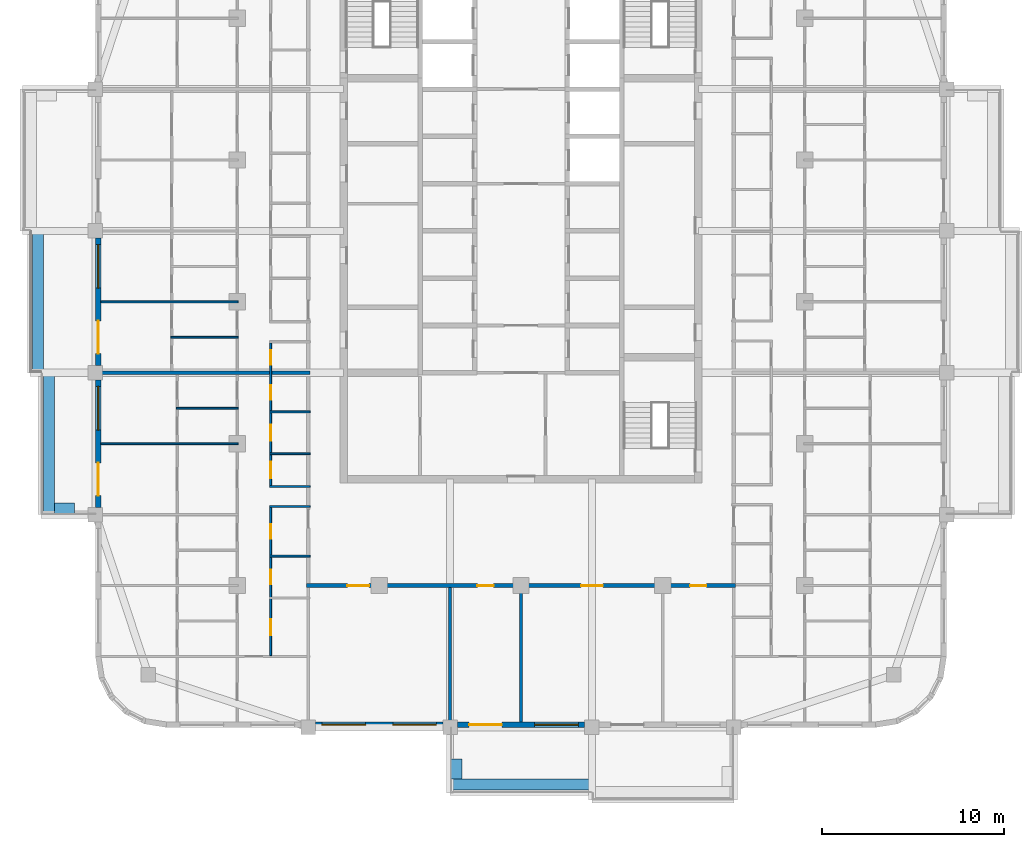
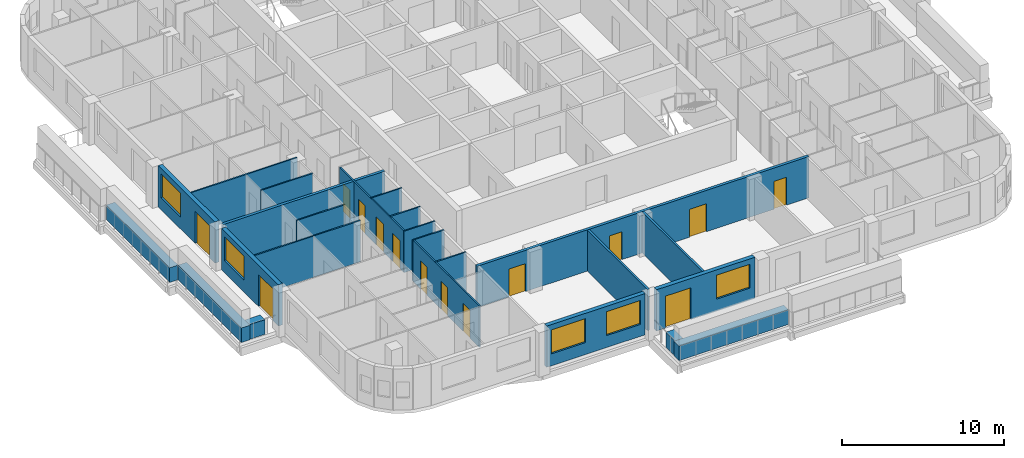
# One storey, part 3 of 16: 24 walls, 14 doors, 5 windows, 19 openings.
"""IFC4 building model written with IfcOpenShell, lengths in metres."""

from ifc_helpers import new_model, si_unit, direction, frame, frame_2d, origin, place, context, subcontext, project, spatial, rectangle, extrude, material, layer, layer_set, type_object, element, fill, save


model = new_model("IFC4")

# Units and contexts
model_context = context("Model", 3, precision=1e-05, world=origin(), true_north=direction((0.0, 1.0)))
body_context = subcontext(model_context, "Body", "Model", "MODEL_VIEW")
ifc_project = project(units=[si_unit("LENGTHUNIT", "METRE"), si_unit("AREAUNIT", "SQUARE_METRE"), si_unit("VOLUMEUNIT", "CUBIC_METRE"), si_unit("PLANEANGLEUNIT", "RADIAN"), si_unit("MASSUNIT", "GRAM", prefix="KILO")], contexts=[model_context])

# Site, building, storey
site_placement = place(None, origin())
site = spatial("IfcSite", under=ifc_project, at=site_placement, CompositionType="ELEMENT")
building_placement = place(site_placement, origin())
building = spatial("IfcBuilding", under=site, at=building_placement, Name="Ludao Terraces", CompositionType="ELEMENT")
storey_placement = place(building_placement, frame((0.0, 0.0, 238.10009765625)))
storey = spatial("IfcBuildingStorey", under=building, at=storey_placement, Name="L65", CompositionType="ELEMENT", Elevation=238.10009765625)

# Walls
ifc_material_1 = material(Name="Concrete C40", Category="concrete")
ifc_layer_1 = layer(ifc_material_1, 0.60009765625)
ifc_layer_set_1 = layer_set([ifc_layer_1], Name="ENV Planter trough 600")
wall_type_1 = type_object("IfcWallType", Name="ENV Planter trough 600", PredefinedType="USERDEFINED", material=ifc_layer_set_1)
wall_1_placement = place(storey_placement, frame((81.10009765625, 38.449951171875, 0.0), z_axis=(0.0, 0.0, 1.0), x_axis=(1.0, 0.0, 0.0)))
element("IfcWall", 1, at=wall_1_placement, inside=storey, type_object=wall_type_1, Name="PL-L65-S2", ObjectType="PLANTER", PredefinedType="USERDEFINED", context=body_context, shape_type="SweptSolid", body=[
    extrude(rectangle(XDim=7.7998046875, YDim=0.60009765625, at=frame_2d((3.89990234375, 0.0))), origin(), (0.0, 0.0, 1.0), 1.099853515625),
])
wall_2_placement = place(storey_placement, frame((81.449951171875, 38.75, 0.0), z_axis=(0.0, 0.0, 1.0), x_axis=(0.0, 1.0, 0.0)))
element("IfcWall", 2, at=wall_2_placement, inside=storey, type_object=wall_type_1, Name="PL-L65-S2-SA", ObjectType="PLANTER", PredefinedType="USERDEFINED", context=body_context, shape_type="SweptSolid", body=[
    extrude(rectangle(XDim=1.10009765625, YDim=0.60009765625, at=frame_2d((0.550048828125, 0.0))), origin(), (0.0, 0.0, 1.0), 1.099853515625),
])
wall_3_placement = place(storey_placement, frame((59.050048828125, 53.300048828125, 0.0), z_axis=(0.0, 0.0, 1.0), x_axis=(0.0, 1.0, 0.0)))
element("IfcWall", 3, at=wall_3_placement, inside=storey, type_object=wall_type_1, Name="PL-L65-W1", ObjectType="PLANTER", PredefinedType="USERDEFINED", context=body_context, shape_type="SweptSolid", body=[
    extrude(rectangle(XDim=7.800048828125, YDim=0.60009765625, at=frame_2d((3.89990234375, 0.0))), origin(), (0.0, 0.0, 1.0), 1.099853515625),
])
wall_4_placement = place(storey_placement, frame((59.35009765625, 53.64990234375, 0.0), z_axis=(0.0, 0.0, 1.0), x_axis=(1.0, 0.0, 0.0)))
element("IfcWall", 4, at=wall_4_placement, inside=storey, type_object=wall_type_1, Name="PL-L65-W1-SA", ObjectType="PLANTER", PredefinedType="USERDEFINED", context=body_context, shape_type="SweptSolid", body=[
    extrude(rectangle(XDim=1.099853515625, YDim=0.60009765625, at=frame_2d((0.5498046875, 0.0))), origin(), (0.0, 0.0, 1.0), 1.099853515625),
])
wall_5_placement = place(storey_placement, frame((58.449951171875, 61.10009765625, 0.0), z_axis=(0.0, 0.0, 1.0), x_axis=(0.0, 1.0, 0.0)))
element("IfcWall", 5, at=wall_5_placement, inside=storey, type_object=wall_type_1, Name="PL-L65-W2", ObjectType="PLANTER", PredefinedType="USERDEFINED", context=body_context, shape_type="SweptSolid", body=[
    extrude(rectangle(XDim=7.7998046875, YDim=0.60009765625, at=frame_2d((3.89990234375, 0.0))), origin(), (0.0, 0.0, 1.0), 1.099853515625),
])

# Wall, openings, windows
ifc_material_2 = material(Name="Granite cladding", Category="masonry")
ifc_layer_2 = layer(ifc_material_2, 0.0400390625, Category="stone")
ifc_material_3 = material(Name="Mineral wool")
ifc_layer_3 = layer(ifc_material_3, 0.06005859375)
ifc_layer_4 = layer(ifc_material_1, 0.199951171875, Category="concrete")
ifc_layer_set_2 = layer_set([ifc_layer_2, ifc_layer_3, ifc_layer_4], Name="ENV Stone-clad wall 300")
wall_type_2 = type_object("IfcWallType", Name="ENV Stone-clad wall 300", PredefinedType="SOLIDWALL", material=ifc_layer_set_2)
wall_6_placement = place(storey_placement, frame((73.699951171875, 41.75, 0.0), z_axis=(0.0, 0.0, 1.0), x_axis=(1.0, 0.0, 0.0)))
wall_6 = element("IfcWall", 6, at=wall_6_placement, inside=storey, type_object=wall_type_2, Name="EW-L65-S2", PredefinedType="SOLIDWALL", context=body_context, shape_type="SweptSolid", body=[
    extrude(rectangle(XDim=7.0, YDim=0.300048828125, at=frame_2d((3.5, 0.0))), origin(), (0.0, 0.0, 1.0), 3.099853515625),
])
opening_1_placement = place(wall_6_placement, frame((0.35009765625, 0.0, 0.89990234375)))
opening_1 = element("IfcOpeningElement", 7, at=opening_1_placement, cuts=wall_6, Name="Opening W1", PredefinedType="OPENING", context=body_context, shape_type="SweptSolid", body=[
    extrude(rectangle(XDim=2.39990234375, YDim=1.800048828125, at=frame_2d((1.199951171875, 0.89990234375))), frame((0.0, 0.16015625, 0.0), z_axis=(0.0, -1.0, 0.0), x_axis=(1.0, 0.0, 0.0)), (0.0, 0.0, 1.0), 0.320068359375),
])
opening_2_placement = place(wall_6_placement, frame((4.25, 0.0, 0.89990234375)))
opening_2 = element("IfcOpeningElement", 8, at=opening_2_placement, cuts=wall_6, Name="Opening W1", PredefinedType="OPENING", context=body_context, shape_type="SweptSolid", body=[
    extrude(rectangle(XDim=2.39990234375, YDim=1.800048828125, at=frame_2d((1.199951171875, 0.89990234375))), frame((0.0, 0.16015625, 0.0), z_axis=(0.0, -1.0, 0.0), x_axis=(1.0, 0.0, 0.0)), (0.0, 0.0, 1.0), 0.320068359375),
])
ifc_material_4 = material(Name="Clear glass in aluminium frame", Category="aluminium")
ifc_layer_5 = layer(ifc_material_4, 0.06005859375)
ifc_layer_set_3 = layer_set([ifc_layer_5], Name="ENV Window W1 2400x1800")
window_type = type_object("IfcWindowType", Name="ENV Window W1 2400x1800", PartitioningType="DOUBLE_PANEL_VERTICAL", PredefinedType="WINDOW", material=ifc_layer_set_3)
window_1_placement = place(opening_1_placement, origin())
window_1 = element("IfcWindow", 9, at=window_1_placement, inside=storey, type_object=window_type, Name="W-L65-S2-1", OverallHeight=1.800048828125, OverallWidth=2.39990234375, PartitioningType="DOUBLE_PANEL_VERTICAL", PredefinedType="WINDOW", context=body_context, shape_type="SweptSolid", body=[
    extrude(rectangle(XDim=2.39990234375, YDim=1.800048828125, at=frame_2d((1.199951171875, 0.89990234375))), frame((0.0, 0.030029296875, 0.0), z_axis=(0.0, -1.0, 0.0), x_axis=(1.0, 0.0, 0.0)), (0.0, 0.0, 1.0), 0.06005859375),
])
fill(opening_1, window_1)
window_2_placement = place(opening_2_placement, origin())
window_2 = element("IfcWindow", 10, at=window_2_placement, inside=storey, type_object=window_type, Name="W-L65-S2-2", OverallHeight=1.800048828125, OverallWidth=2.39990234375, PartitioningType="DOUBLE_PANEL_VERTICAL", PredefinedType="WINDOW", context=body_context, shape_type="SweptSolid", body=[
    extrude(rectangle(XDim=2.39990234375, YDim=1.800048828125, at=frame_2d((1.199951171875, 0.89990234375))), frame((0.0, 0.030029296875, 0.0), z_axis=(0.0, -1.0, 0.0), x_axis=(1.0, 0.0, 0.0)), (0.0, 0.0, 1.0), 0.06005859375),
])
fill(opening_2, window_2)

# Wall, openings, door, window
wall_7_placement = place(storey_placement, frame((81.5, 41.75, 0.0), z_axis=(0.0, 0.0, 1.0), x_axis=(1.0, 0.0, 0.0)))
wall_7 = element("IfcWall", 11, at=wall_7_placement, inside=storey, type_object=wall_type_2, Name="EW-L65-S3", PredefinedType="SOLIDWALL", context=body_context, shape_type="SweptSolid", body=[
    extrude(rectangle(XDim=7.0, YDim=0.300048828125, at=frame_2d((3.5, 0.0))), origin(), (0.0, 0.0, 1.0), 3.099853515625),
])
opening_3_placement = place(wall_7_placement, frame((0.64990234375, 0.0, 0.0)))
opening_3 = element("IfcOpeningElement", 12, at=opening_3_placement, cuts=wall_7, Name="Opening BD", PredefinedType="OPENING", context=body_context, shape_type="SweptSolid", body=[
    extrude(rectangle(XDim=1.800048828125, YDim=2.39990234375, at=frame_2d((0.89990234375, 1.199951171875))), frame((0.0, 0.16015625, 0.0), z_axis=(0.0, -1.0, 0.0), x_axis=(1.0, 0.0, 0.0)), (0.0, 0.0, 1.0), 0.320068359375),
])
opening_4_placement = place(wall_7_placement, frame((4.25, 0.0, 0.89990234375)))
opening_4 = element("IfcOpeningElement", 13, at=opening_4_placement, cuts=wall_7, Name="Opening W1", PredefinedType="OPENING", context=body_context, shape_type="SweptSolid", body=[
    extrude(rectangle(XDim=2.39990234375, YDim=1.800048828125, at=frame_2d((1.199951171875, 0.89990234375))), frame((0.0, 0.16015625, 0.0), z_axis=(0.0, -1.0, 0.0), x_axis=(1.0, 0.0, 0.0)), (0.0, 0.0, 1.0), 0.320068359375),
])
ifc_material_5 = material(Name="Aluminium glazed door", Category="aluminium")
ifc_layer_6 = layer(ifc_material_5, 0.06005859375)
ifc_layer_set_4 = layer_set([ifc_layer_6], Name="ENV Balcony door BD 1800x2400")
door_type_1 = type_object("IfcDoorType", Name="ENV Balcony door BD 1800x2400", OperationType="DOUBLE_DOOR_SINGLE_SWING", PredefinedType="DOOR", material=ifc_layer_set_4)
door_1_placement = place(opening_3_placement, origin())
door_1 = element("IfcDoor", 14, at=door_1_placement, inside=storey, type_object=door_type_1, Name="BD-L65-S3-1", OperationType="DOUBLE_DOOR_SINGLE_SWING", OverallHeight=2.39990234375, OverallWidth=1.800048828125, PredefinedType="DOOR", context=body_context, shape_type="SweptSolid", body=[
    extrude(rectangle(XDim=1.800048828125, YDim=2.39990234375, at=frame_2d((0.89990234375, 1.199951171875))), frame((0.0, 0.02490234375, 0.0), z_axis=(0.0, -1.0, 0.0), x_axis=(1.0, 0.0, 0.0)), (0.0, 0.0, 1.0), 0.050048828125),
])
fill(opening_3, door_1)
window_3_placement = place(opening_4_placement, origin())
window_3 = element("IfcWindow", 15, at=window_3_placement, inside=storey, type_object=window_type, Name="W-L65-S3-2", OverallHeight=1.800048828125, OverallWidth=2.39990234375, PartitioningType="DOUBLE_PANEL_VERTICAL", PredefinedType="WINDOW", context=body_context, shape_type="SweptSolid", body=[
    extrude(rectangle(XDim=2.39990234375, YDim=1.800048828125, at=frame_2d((1.199951171875, 0.89990234375))), frame((0.0, 0.030029296875, 0.0), z_axis=(0.0, -1.0, 0.0), x_axis=(1.0, 0.0, 0.0)), (0.0, 0.0, 1.0), 0.06005859375),
])
fill(opening_4, window_3)

wall_8_placement = place(storey_placement, frame((61.75, 53.699951171875, 0.0), z_axis=(0.0, 0.0, 1.0), x_axis=(0.0, 1.0, 0.0)))
wall_8 = element("IfcWall", 16, at=wall_8_placement, inside=storey, type_object=wall_type_2, Name="EW-L65-W2", PredefinedType="SOLIDWALL", context=body_context, shape_type="SweptSolid", body=[
    extrude(rectangle(XDim=7.0, YDim=0.300048828125, at=frame_2d((3.5, 0.0))), origin(), (0.0, 0.0, 1.0), 3.099853515625),
])
opening_5_placement = place(wall_8_placement, frame((0.64990234375, 0.0, 0.0)))
opening_5 = element("IfcOpeningElement", 17, at=opening_5_placement, cuts=wall_8, Name="Opening BD", PredefinedType="OPENING", context=body_context, shape_type="SweptSolid", body=[
    extrude(rectangle(XDim=1.800048828125, YDim=2.39990234375, at=frame_2d((0.89990234375, 1.199951171875))), frame((0.0, 0.16015625, 0.0), z_axis=(0.0, -1.0, 0.0), x_axis=(1.0, 0.0, 0.0)), (0.0, 0.0, 1.0), 0.320068359375),
])
opening_6_placement = place(wall_8_placement, frame((4.25, 0.0, 0.89990234375)))
opening_6 = element("IfcOpeningElement", 18, at=opening_6_placement, cuts=wall_8, Name="Opening W1", PredefinedType="OPENING", context=body_context, shape_type="SweptSolid", body=[
    extrude(rectangle(XDim=2.39990234375, YDim=1.800048828125, at=frame_2d((1.199951171875, 0.89990234375))), frame((0.0, 0.16015625, 0.0), z_axis=(0.0, -1.0, 0.0), x_axis=(1.0, 0.0, 0.0)), (0.0, 0.0, 1.0), 0.320068359375),
])
door_2_placement = place(opening_5_placement, origin())
door_2 = element("IfcDoor", 19, at=door_2_placement, inside=storey, type_object=door_type_1, Name="BD-L65-W2-1", OperationType="DOUBLE_DOOR_SINGLE_SWING", OverallHeight=2.39990234375, OverallWidth=1.800048828125, PredefinedType="DOOR", context=body_context, shape_type="SweptSolid", body=[
    extrude(rectangle(XDim=1.800048828125, YDim=2.39990234375, at=frame_2d((0.89990234375, 1.199951171875))), frame((0.0, 0.02490234375, 0.0), z_axis=(0.0, -1.0, 0.0), x_axis=(1.0, 0.0, 0.0)), (0.0, 0.0, 1.0), 0.050048828125),
])
fill(opening_5, door_2)
window_4_placement = place(opening_6_placement, origin())
window_4 = element("IfcWindow", 20, at=window_4_placement, inside=storey, type_object=window_type, Name="W-L65-W2-2", OverallHeight=1.800048828125, OverallWidth=2.39990234375, PartitioningType="DOUBLE_PANEL_VERTICAL", PredefinedType="WINDOW", context=body_context, shape_type="SweptSolid", body=[
    extrude(rectangle(XDim=2.39990234375, YDim=1.800048828125, at=frame_2d((1.199951171875, 0.89990234375))), frame((0.0, 0.030029296875, 0.0), z_axis=(0.0, -1.0, 0.0), x_axis=(1.0, 0.0, 0.0)), (0.0, 0.0, 1.0), 0.06005859375),
])
fill(opening_6, window_4)

wall_9_placement = place(storey_placement, frame((61.75, 61.5, 0.0), z_axis=(0.0, 0.0, 1.0), x_axis=(0.0, 1.0, 0.0)))
wall_9 = element("IfcWall", 21, at=wall_9_placement, inside=storey, type_object=wall_type_2, Name="EW-L65-W3", PredefinedType="SOLIDWALL", context=body_context, shape_type="SweptSolid", body=[
    extrude(rectangle(XDim=7.0, YDim=0.300048828125, at=frame_2d((3.5, 0.0))), origin(), (0.0, 0.0, 1.0), 3.099853515625),
])
opening_7_placement = place(wall_9_placement, frame((0.64990234375, 0.0, 0.0)))
opening_7 = element("IfcOpeningElement", 22, at=opening_7_placement, cuts=wall_9, Name="Opening BD", PredefinedType="OPENING", context=body_context, shape_type="SweptSolid", body=[
    extrude(rectangle(XDim=1.800048828125, YDim=2.39990234375, at=frame_2d((0.89990234375, 1.199951171875))), frame((0.0, 0.16015625, 0.0), z_axis=(0.0, -1.0, 0.0), x_axis=(1.0, 0.0, 0.0)), (0.0, 0.0, 1.0), 0.320068359375),
])
opening_8_placement = place(wall_9_placement, frame((4.25, 0.0, 0.89990234375)))
opening_8 = element("IfcOpeningElement", 23, at=opening_8_placement, cuts=wall_9, Name="Opening W1", PredefinedType="OPENING", context=body_context, shape_type="SweptSolid", body=[
    extrude(rectangle(XDim=2.39990234375, YDim=1.800048828125, at=frame_2d((1.199951171875, 0.89990234375))), frame((0.0, 0.16015625, 0.0), z_axis=(0.0, -1.0, 0.0), x_axis=(1.0, 0.0, 0.0)), (0.0, 0.0, 1.0), 0.320068359375),
])
door_3_placement = place(opening_7_placement, origin())
door_3 = element("IfcDoor", 24, at=door_3_placement, inside=storey, type_object=door_type_1, Name="BD-L65-W3-1", OperationType="DOUBLE_DOOR_SINGLE_SWING", OverallHeight=2.39990234375, OverallWidth=1.800048828125, PredefinedType="DOOR", context=body_context, shape_type="SweptSolid", body=[
    extrude(rectangle(XDim=1.800048828125, YDim=2.39990234375, at=frame_2d((0.89990234375, 1.199951171875))), frame((0.0, 0.02490234375, 0.0), z_axis=(0.0, -1.0, 0.0), x_axis=(1.0, 0.0, 0.0)), (0.0, 0.0, 1.0), 0.050048828125),
])
fill(opening_7, door_3)
window_5_placement = place(opening_8_placement, origin())
window_5 = element("IfcWindow", 25, at=window_5_placement, inside=storey, type_object=window_type, Name="W-L65-W3-2", OverallHeight=1.800048828125, OverallWidth=2.39990234375, PartitioningType="DOUBLE_PANEL_VERTICAL", PredefinedType="WINDOW", context=body_context, shape_type="SweptSolid", body=[
    extrude(rectangle(XDim=2.39990234375, YDim=1.800048828125, at=frame_2d((1.199951171875, 0.89990234375))), frame((0.0, 0.030029296875, 0.0), z_axis=(0.0, -1.0, 0.0), x_axis=(1.0, 0.0, 0.0)), (0.0, 0.0, 1.0), 0.06005859375),
])
fill(opening_8, window_5)

# Wall, openings, doors
ifc_material_6 = material(Name="Autoclaved aerated concrete block B06 A3.5", Category="concrete")
ifc_layer_7 = layer(ifc_material_6, 0.199951171875)
ifc_layer_set_5 = layer_set([ifc_layer_7], Name="INT Entrance wall 200")
wall_type_3 = type_object("IfcWallType", Name="INT Entrance wall 200", PredefinedType="PARTITIONING", material=ifc_layer_set_5)
wall_10_placement = place(storey_placement, frame((73.2001953125, 49.39990234375, 0.0), z_axis=(0.0, 0.0, 1.0), x_axis=(1.0, 0.0, 0.0)))
wall_10 = element("IfcWall", 26, at=wall_10_placement, inside=storey, type_object=wall_type_3, Name="PW-L65-PW007", PredefinedType="PARTITIONING", context=body_context, shape_type="SweptSolid", body=[
    extrude(rectangle(XDim=23.599853515625, YDim=0.199951171875, at=frame_2d((11.7998046875, 0.0))), origin(), (0.0, 0.0, 1.0), 3.099853515625),
])
opening_9_placement = place(wall_10_placement, frame((2.25, 0.0, 0.0)))
opening_9 = element("IfcOpeningElement", 27, at=opening_9_placement, cuts=wall_10, Name="Opening R23-016", PredefinedType="OPENING", context=body_context, shape_type="SweptSolid", body=[
    extrude(rectangle(XDim=1.199951171875, YDim=2.10009765625, at=frame_2d((0.60009765625, 1.050048828125))), frame((0.0, 0.10986328125, 0.0), z_axis=(0.0, -1.0, 0.0), x_axis=(1.0, 0.0, 0.0)), (0.0, 0.0, 1.0), 0.219970703125),
])
opening_10_placement = place(wall_10_placement, frame((9.39990234375, 0.0, 0.0)))
opening_10 = element("IfcOpeningElement", 28, at=opening_10_placement, cuts=wall_10, Name="Opening R23-017", PredefinedType="OPENING", context=body_context, shape_type="SweptSolid", body=[
    extrude(rectangle(XDim=0.89990234375, YDim=2.10009765625, at=frame_2d((0.449951171875, 1.050048828125))), frame((0.0, 0.10986328125, 0.0), z_axis=(0.0, -1.0, 0.0), x_axis=(1.0, 0.0, 0.0)), (0.0, 0.0, 1.0), 0.219970703125),
])
opening_11_placement = place(wall_10_placement, frame((15.099853515625, 0.0, 0.0)))
opening_11 = element("IfcOpeningElement", 29, at=opening_11_placement, cuts=wall_10, Name="Opening R23-018", PredefinedType="OPENING", context=body_context, shape_type="SweptSolid", body=[
    extrude(rectangle(XDim=1.199951171875, YDim=2.10009765625, at=frame_2d((0.60009765625, 1.050048828125))), frame((0.0, 0.10986328125, 0.0), z_axis=(0.0, -1.0, 0.0), x_axis=(1.0, 0.0, 0.0)), (0.0, 0.0, 1.0), 0.219970703125),
])
opening_12_placement = place(wall_10_placement, frame((21.099853515625, 0.0, 0.0)))
opening_12 = element("IfcOpeningElement", 30, at=opening_12_placement, cuts=wall_10, Name="Opening R23-019", PredefinedType="OPENING", context=body_context, shape_type="SweptSolid", body=[
    extrude(rectangle(XDim=0.89990234375, YDim=2.10009765625, at=frame_2d((0.449951171875, 1.050048828125))), frame((0.0, 0.10986328125, 0.0), z_axis=(0.0, -1.0, 0.0), x_axis=(1.0, 0.0, 0.0)), (0.0, 0.0, 1.0), 0.219970703125),
])
ifc_material_7 = material(Name="Timber door leaf", Category="wood")
door_type_2 = type_object("IfcDoorType", Name="INT Double door 1200", OperationType="DOUBLE_DOOR_SINGLE_SWING", PredefinedType="DOOR", material=ifc_material_7)
door_4_placement = place(opening_9_placement, origin())
door_4 = element("IfcDoor", 31, at=door_4_placement, inside=storey, type_object=door_type_2, Name="DOOR 016", OperationType="DOUBLE_DOOR_SINGLE_SWING", OverallHeight=2.10009765625, OverallWidth=1.199951171875, PredefinedType="DOOR", context=body_context, shape_type="SweptSolid", body=[
    extrude(rectangle(XDim=1.199951171875, YDim=2.10009765625, at=frame_2d((0.60009765625, 1.050048828125))), frame((0.0, 0.02490234375, 0.0), z_axis=(0.0, -1.0, 0.0), x_axis=(1.0, 0.0, 0.0)), (0.0, 0.0, 1.0), 0.050048828125),
])
fill(opening_9, door_4)
door_5_placement = place(opening_11_placement, origin())
door_5 = element("IfcDoor", 32, at=door_5_placement, inside=storey, type_object=door_type_2, Name="DOOR 018", OperationType="DOUBLE_DOOR_SINGLE_SWING", OverallHeight=2.10009765625, OverallWidth=1.199951171875, PredefinedType="DOOR", context=body_context, shape_type="SweptSolid", body=[
    extrude(rectangle(XDim=1.199951171875, YDim=2.10009765625, at=frame_2d((0.60009765625, 1.050048828125))), frame((0.0, 0.02490234375, 0.0), z_axis=(0.0, -1.0, 0.0), x_axis=(1.0, 0.0, 0.0)), (0.0, 0.0, 1.0), 0.050048828125),
])
fill(opening_11, door_5)
door_type_3 = type_object("IfcDoorType", Name="INT Room door 900", OperationType="SINGLE_SWING_LEFT", PredefinedType="DOOR", material=ifc_material_7)
door_6_placement = place(opening_10_placement, origin())
door_6 = element("IfcDoor", 33, at=door_6_placement, inside=storey, type_object=door_type_3, Name="DOOR 017", OperationType="SINGLE_SWING_LEFT", OverallHeight=2.10009765625, OverallWidth=0.89990234375, PredefinedType="DOOR", context=body_context, shape_type="SweptSolid", body=[
    extrude(rectangle(XDim=0.89990234375, YDim=2.10009765625, at=frame_2d((0.449951171875, 1.050048828125))), frame((0.0, 0.02490234375, 0.0), z_axis=(0.0, -1.0, 0.0), x_axis=(1.0, 0.0, 0.0)), (0.0, 0.0, 1.0), 0.050048828125),
])
fill(opening_10, door_6)
door_7_placement = place(opening_12_placement, origin())
door_7 = element("IfcDoor", 34, at=door_7_placement, inside=storey, type_object=door_type_3, Name="DOOR 019", OperationType="SINGLE_SWING_LEFT", OverallHeight=2.10009765625, OverallWidth=0.89990234375, PredefinedType="DOOR", context=body_context, shape_type="SweptSolid", body=[
    extrude(rectangle(XDim=0.89990234375, YDim=2.10009765625, at=frame_2d((0.449951171875, 1.050048828125))), frame((0.0, 0.02490234375, 0.0), z_axis=(0.0, -1.0, 0.0), x_axis=(1.0, 0.0, 0.0)), (0.0, 0.0, 1.0), 0.050048828125),
])
fill(opening_12, door_7)

# Walls
ifc_material_8 = material(Name="Gypsum plasterboard", Category="gypsum")
ifc_layer_8 = layer(ifc_material_8, 0.012451171875, Category="gypsum")
ifc_layer_9 = layer(ifc_material_3, 0.06005859375, Name="insulation")
ifc_material_9 = material(Name="Steel Q235", Category="steel")
ifc_layer_10 = layer(ifc_material_9, 0.014892578125, Name="stud")
ifc_layer_11 = layer(ifc_material_8, 0.012451171875, Category="gypsum")
ifc_layer_set_6 = layer_set([ifc_layer_8, ifc_layer_9, ifc_layer_10, ifc_layer_11], Name="INT Partition 100")
wall_type_4 = type_object("IfcWallType", Name="INT Partition 100", PredefinedType="PARTITIONING", material=ifc_layer_set_6)
for number, where, z_axis, x_axis, name in (
    (35, (71.18017578125, 51.02001953125, 0.0), (0.0, 0.0, 1.0), (1.0, 0.0, 0.0), "PW-L65-PW010"),
    (36, (71.18017578125, 53.75, 0.0), (0.0, 0.0, 1.0), (1.0, 0.0, 0.0), "PW-L65-PW016"),
    (37, (71.18017578125, 54.85009765625, 0.0), (0.0, 0.0, 1.0), (1.0, 0.0, 0.0), "PW-L65-PW018"),
    (38, (71.18017578125, 56.64990234375, 0.0), (0.0, 0.0, 1.0), (1.0, 0.0, 0.0), "PW-L65-PW020"),
):
    element("IfcWall", number, at=place(storey_placement, frame(where, z_axis=z_axis, x_axis=x_axis)), inside=storey, type_object=wall_type_4, Name=name, PredefinedType="PARTITIONING", context=body_context, shape_type="SweptSolid", body=[
        extrude(rectangle(XDim=2.219970703125, YDim=0.10009765625, at=frame_2d((1.10986328125, 0.0))), origin(), (0.0, 0.0, 1.0), 3.099853515625),
    ])
wall_11_placement = place(storey_placement, frame((61.900146484375, 57.199951171875, 0.0), z_axis=(0.0, 0.0, 1.0), x_axis=(1.0, 0.0, 0.0)))
element("IfcWall", 39, at=wall_11_placement, inside=storey, type_object=wall_type_4, Name="PW-L65-PW021", PredefinedType="PARTITIONING", context=body_context, shape_type="SweptSolid", body=[
    extrude(rectangle(XDim=7.550048828125, YDim=0.10009765625, at=frame_2d((3.77490234375, 0.0))), origin(), (0.0, 0.0, 1.0), 3.099853515625),
])
wall_12_placement = place(storey_placement, frame((71.18017578125, 58.949951171875, 0.0), z_axis=(0.0, 0.0, 1.0), x_axis=(1.0, 0.0, 0.0)))
element("IfcWall", 40, at=wall_12_placement, inside=storey, type_object=wall_type_4, Name="PW-L65-PW024", PredefinedType="PARTITIONING", context=body_context, shape_type="SweptSolid", body=[
    extrude(rectangle(XDim=2.219970703125, YDim=0.10009765625, at=frame_2d((1.10986328125, 0.0))), origin(), (0.0, 0.0, 1.0), 3.099853515625),
])
wall_13_placement = place(storey_placement, frame((66.050048828125, 59.14990234375, 0.0), z_axis=(0.0, 0.0, 1.0), x_axis=(1.0, 0.0, 0.0)))
element("IfcWall", 41, at=wall_13_placement, inside=storey, type_object=wall_type_4, Name="PW-L65-PW025", PredefinedType="PARTITIONING", context=body_context, shape_type="SweptSolid", body=[
    extrude(rectangle(XDim=3.400146484375, YDim=0.10009765625, at=frame_2d((1.7001953125, 0.0))), origin(), (0.0, 0.0, 1.0), 3.099853515625),
])
wall_14_placement = place(storey_placement, frame((65.75, 63.050048828125, 0.0), z_axis=(0.0, 0.0, 1.0), x_axis=(1.0, 0.0, 0.0)))
element("IfcWall", 42, at=wall_14_placement, inside=storey, type_object=wall_type_4, Name="PW-L65-PW032", PredefinedType="PARTITIONING", context=body_context, shape_type="SweptSolid", body=[
    extrude(rectangle(XDim=3.7001953125, YDim=0.10009765625, at=frame_2d((1.85009765625, 0.0))), origin(), (0.0, 0.0, 1.0), 3.099853515625),
])
wall_15_placement = place(storey_placement, frame((61.900146484375, 65.0, 0.0), z_axis=(0.0, 0.0, 1.0), x_axis=(1.0, 0.0, 0.0)))
element("IfcWall", 43, at=wall_15_placement, inside=storey, type_object=wall_type_4, Name="PW-L65-PW037", PredefinedType="PARTITIONING", context=body_context, shape_type="SweptSolid", body=[
    extrude(rectangle(XDim=7.550048828125, YDim=0.10009765625, at=frame_2d((3.77490234375, 0.0))), origin(), (0.0, 0.0, 1.0), 3.099853515625),
])

# Wall, openings, doors
wall_16_placement = place(storey_placement, frame((71.22998046875, 45.550048828125, 0.0), z_axis=(0.0, 0.0, 1.0), x_axis=(0.0, 1.0, 0.0)))
wall_16 = element("IfcWall", 44, at=wall_16_placement, inside=storey, type_object=wall_type_4, Name="PW-L65-PW075", PredefinedType="PARTITIONING", context=body_context, shape_type="SweptSolid", body=[
    extrude(rectangle(XDim=8.150146484375, YDim=0.10009765625, at=frame_2d((4.0751953125, 0.0))), origin(), (0.0, 0.0, 1.0), 3.099853515625),
])
opening_13_placement = place(wall_16_placement, frame((1.110107421875, 0.0, 0.0)))
opening_13 = element("IfcOpeningElement", 45, at=opening_13_placement, cuts=wall_16, Name="Opening R23-010", PredefinedType="OPENING", context=body_context, shape_type="SweptSolid", body=[
    extrude(rectangle(XDim=0.89990234375, YDim=2.10009765625, at=frame_2d((0.449951171875, 1.050048828125))), frame((0.0, 0.06005859375, 0.0), z_axis=(0.0, -1.0, 0.0), x_axis=(1.0, 0.0, 0.0)), (0.0, 0.0, 1.0), 0.1201171875),
])
opening_14_placement = place(wall_16_placement, frame((3.919921875, 0.0, 0.0)))
opening_14 = element("IfcOpeningElement", 46, at=opening_14_placement, cuts=wall_16, Name="Opening R23-020", PredefinedType="OPENING", context=body_context, shape_type="SweptSolid", body=[
    extrude(rectangle(XDim=0.800048828125, YDim=2.10009765625, at=frame_2d((0.39990234375, 1.050048828125))), frame((0.0, 0.06005859375, 0.0), z_axis=(0.0, -1.0, 0.0), x_axis=(1.0, 0.0, 0.0)), (0.0, 0.0, 1.0), 0.1201171875),
])
opening_15_placement = place(wall_16_placement, frame((6.43505859375, 0.0, 0.0)))
opening_15 = element("IfcOpeningElement", 47, at=opening_15_placement, cuts=wall_16, Name="Opening R23-028", PredefinedType="OPENING", context=body_context, shape_type="SweptSolid", body=[
    extrude(rectangle(XDim=0.800048828125, YDim=2.10009765625, at=frame_2d((0.39990234375, 1.050048828125))), frame((0.0, 0.06005859375, 0.0), z_axis=(0.0, -1.0, 0.0), x_axis=(1.0, 0.0, 0.0)), (0.0, 0.0, 1.0), 0.1201171875),
])
door_8_placement = place(opening_13_placement, origin())
door_8 = element("IfcDoor", 48, at=door_8_placement, inside=storey, type_object=door_type_3, Name="DOOR 010", OperationType="SINGLE_SWING_RIGHT", OverallHeight=2.10009765625, OverallWidth=0.89990234375, PredefinedType="DOOR", context=body_context, shape_type="SweptSolid", body=[
    extrude(rectangle(XDim=0.89990234375, YDim=2.10009765625, at=frame_2d((0.449951171875, 1.050048828125))), frame((0.0, 0.02490234375, 0.0), z_axis=(0.0, -1.0, 0.0), x_axis=(1.0, 0.0, 0.0)), (0.0, 0.0, 1.0), 0.050048828125),
])
fill(opening_13, door_8)
door_type_4 = type_object("IfcDoorType", Name="INT Store door 800", OperationType="SINGLE_SWING_LEFT", PredefinedType="DOOR", material=ifc_material_7)
door_9_placement = place(opening_14_placement, origin())
door_9 = element("IfcDoor", 49, at=door_9_placement, inside=storey, type_object=door_type_4, Name="DOOR 020", OperationType="SINGLE_SWING_RIGHT", OverallHeight=2.10009765625, OverallWidth=0.800048828125, PredefinedType="DOOR", context=body_context, shape_type="SweptSolid", body=[
    extrude(rectangle(XDim=0.800048828125, YDim=2.10009765625, at=frame_2d((0.39990234375, 1.050048828125))), frame((0.0, 0.02490234375, 0.0), z_axis=(0.0, -1.0, 0.0), x_axis=(1.0, 0.0, 0.0)), (0.0, 0.0, 1.0), 0.050048828125),
])
fill(opening_14, door_9)
door_10_placement = place(opening_15_placement, origin())
door_10 = element("IfcDoor", 50, at=door_10_placement, inside=storey, type_object=door_type_4, Name="DOOR 028", OperationType="SINGLE_SWING_RIGHT", OverallHeight=2.10009765625, OverallWidth=0.800048828125, PredefinedType="DOOR", context=body_context, shape_type="SweptSolid", body=[
    extrude(rectangle(XDim=0.800048828125, YDim=2.10009765625, at=frame_2d((0.39990234375, 1.050048828125))), frame((0.0, 0.02490234375, 0.0), z_axis=(0.0, -1.0, 0.0), x_axis=(1.0, 0.0, 0.0)), (0.0, 0.0, 1.0), 0.050048828125),
])
fill(opening_15, door_10)

wall_17_placement = place(storey_placement, frame((71.22998046875, 54.900146484375, 0.0), z_axis=(0.0, 0.0, 1.0), x_axis=(0.0, 1.0, 0.0)))
wall_17 = element("IfcWall", 51, at=wall_17_placement, inside=storey, type_object=wall_type_4, Name="PW-L65-PW076", PredefinedType="PARTITIONING", context=body_context, shape_type="SweptSolid", body=[
    extrude(rectangle(XDim=7.849853515625, YDim=0.10009765625, at=frame_2d((3.9248046875, 0.0))), origin(), (0.0, 0.0, 1.0), 3.099853515625),
])
opening_16_placement = place(wall_17_placement, frame((0.39990234375, 0.0, 0.0)))
opening_16 = element("IfcOpeningElement", 52, at=opening_16_placement, cuts=wall_17, Name="Opening R23-037", PredefinedType="OPENING", context=body_context, shape_type="SweptSolid", body=[
    extrude(rectangle(XDim=0.89990234375, YDim=2.10009765625, at=frame_2d((0.449951171875, 1.050048828125))), frame((0.0, 0.06005859375, 0.0), z_axis=(0.0, -1.0, 0.0), x_axis=(1.0, 0.0, 0.0)), (0.0, 0.0, 1.0), 0.1201171875),
])
opening_17_placement = place(wall_17_placement, frame((2.449951171875, 0.0, 0.0)))
opening_17 = element("IfcOpeningElement", 53, at=opening_17_placement, cuts=wall_17, Name="Opening R23-040", PredefinedType="OPENING", context=body_context, shape_type="SweptSolid", body=[
    extrude(rectangle(XDim=0.89990234375, YDim=2.10009765625, at=frame_2d((0.449951171875, 1.050048828125))), frame((0.0, 0.06005859375, 0.0), z_axis=(0.0, -1.0, 0.0), x_axis=(1.0, 0.0, 0.0)), (0.0, 0.0, 1.0), 0.1201171875),
])
opening_18_placement = place(wall_17_placement, frame((4.72509765625, 0.0, 0.0)))
opening_18 = element("IfcOpeningElement", 54, at=opening_18_placement, cuts=wall_17, Name="Opening R23-046", PredefinedType="OPENING", context=body_context, shape_type="SweptSolid", body=[
    extrude(rectangle(XDim=0.800048828125, YDim=2.10009765625, at=frame_2d((0.39990234375, 1.050048828125))), frame((0.0, 0.06005859375, 0.0), z_axis=(0.0, -1.0, 0.0), x_axis=(1.0, 0.0, 0.0)), (0.0, 0.0, 1.0), 0.1201171875),
])
opening_19_placement = place(wall_17_placement, frame((6.64990234375, 0.0, 0.0)))
opening_19 = element("IfcOpeningElement", 55, at=opening_19_placement, cuts=wall_17, Name="Opening R23-052", PredefinedType="OPENING", context=body_context, shape_type="SweptSolid", body=[
    extrude(rectangle(XDim=0.800048828125, YDim=2.10009765625, at=frame_2d((0.39990234375, 1.050048828125))), frame((0.0, 0.06005859375, 0.0), z_axis=(0.0, -1.0, 0.0), x_axis=(1.0, 0.0, 0.0)), (0.0, 0.0, 1.0), 0.1201171875),
])
door_type_5 = type_object("IfcDoorType", Name="INT Bathroom door 900", OperationType="SINGLE_SWING_LEFT", PredefinedType="DOOR", material=ifc_material_7)
door_11_placement = place(opening_16_placement, origin())
door_11 = element("IfcDoor", 56, at=door_11_placement, inside=storey, type_object=door_type_5, Name="DOOR 037", OperationType="SINGLE_SWING_RIGHT", OverallHeight=2.10009765625, OverallWidth=0.89990234375, PredefinedType="DOOR", context=body_context, shape_type="SweptSolid", body=[
    extrude(rectangle(XDim=0.89990234375, YDim=2.10009765625, at=frame_2d((0.449951171875, 1.050048828125))), frame((0.0, 0.02490234375, 0.0), z_axis=(0.0, -1.0, 0.0), x_axis=(1.0, 0.0, 0.0)), (0.0, 0.0, 1.0), 0.050048828125),
])
fill(opening_16, door_11)
door_12_placement = place(opening_17_placement, origin())
door_12 = element("IfcDoor", 57, at=door_12_placement, inside=storey, type_object=door_type_5, Name="DOOR 040", OperationType="SINGLE_SWING_RIGHT", OverallHeight=2.10009765625, OverallWidth=0.89990234375, PredefinedType="DOOR", context=body_context, shape_type="SweptSolid", body=[
    extrude(rectangle(XDim=0.89990234375, YDim=2.10009765625, at=frame_2d((0.449951171875, 1.050048828125))), frame((0.0, 0.02490234375, 0.0), z_axis=(0.0, -1.0, 0.0), x_axis=(1.0, 0.0, 0.0)), (0.0, 0.0, 1.0), 0.050048828125),
])
fill(opening_17, door_12)
door_13_placement = place(opening_18_placement, origin())
door_13 = element("IfcDoor", 58, at=door_13_placement, inside=storey, type_object=door_type_4, Name="DOOR 046", OperationType="SINGLE_SWING_LEFT", OverallHeight=2.10009765625, OverallWidth=0.800048828125, PredefinedType="DOOR", context=body_context, shape_type="SweptSolid", body=[
    extrude(rectangle(XDim=0.800048828125, YDim=2.10009765625, at=frame_2d((0.39990234375, 1.050048828125))), frame((0.0, 0.02490234375, 0.0), z_axis=(0.0, -1.0, 0.0), x_axis=(1.0, 0.0, 0.0)), (0.0, 0.0, 1.0), 0.050048828125),
])
fill(opening_18, door_13)
door_14_placement = place(opening_19_placement, origin())
door_14 = element("IfcDoor", 59, at=door_14_placement, inside=storey, type_object=door_type_4, Name="DOOR 052", OperationType="SINGLE_SWING_RIGHT", OverallHeight=2.10009765625, OverallWidth=0.800048828125, PredefinedType="DOOR", context=body_context, shape_type="SweptSolid", body=[
    extrude(rectangle(XDim=0.800048828125, YDim=2.10009765625, at=frame_2d((0.39990234375, 1.050048828125))), frame((0.0, 0.02490234375, 0.0), z_axis=(0.0, -1.0, 0.0), x_axis=(1.0, 0.0, 0.0)), (0.0, 0.0, 1.0), 0.050048828125),
])
fill(opening_19, door_14)

# Walls
ifc_layer_12 = layer(ifc_material_6, 0.14990234375)
ifc_layer_set_7 = layer_set([ifc_layer_12], Name="INT Party wall 150")
wall_type_5 = type_object("IfcWallType", Name="INT Party wall 150", PredefinedType="PARTITIONING", material=ifc_layer_set_7)
for number, where, z_axis, x_axis, name in (
    (60, (81.10009765625, 41.900146484375, 0.0), (0.0, 0.0, 1.0), (0.0, 1.0, 0.0), "PW-L65-PW084"),
    (61, (85.0, 41.900146484375, 0.0), (0.0, 0.0, 1.0), (0.0, 1.0, 0.0), "PW-L65-PW086"),
):
    element("IfcWall", number, at=place(storey_placement, frame(where, z_axis=z_axis, x_axis=x_axis)), inside=storey, type_object=wall_type_5, Name=name, PredefinedType="PARTITIONING", context=body_context, shape_type="SweptSolid", body=[
        extrude(rectangle(XDim=7.39990234375, YDim=0.14990234375, at=frame_2d((3.699951171875, 0.0))), origin(), (0.0, 0.0, 1.0), 3.099853515625),
    ])
ifc_layer_13 = layer(ifc_material_6, 0.199951171875)
ifc_layer_set_8 = layer_set([ifc_layer_13], Name="INT Party wall 200")
wall_type_6 = type_object("IfcWallType", Name="INT Party wall 200", PredefinedType="PARTITIONING", material=ifc_layer_set_8)
wall_18_placement = place(storey_placement, frame((61.900146484375, 61.10009765625, 0.0), z_axis=(0.0, 0.0, 1.0), x_axis=(1.0, 0.0, 0.0)))
element("IfcWall", 62, at=wall_18_placement, inside=storey, type_object=wall_type_6, Name="PW-L65-PW027", PredefinedType="PARTITIONING", context=body_context, shape_type="SweptSolid", body=[
    extrude(rectangle(XDim=11.5, YDim=0.199951171875, at=frame_2d((5.75, 0.0))), origin(), (0.0, 0.0, 1.0), 3.099853515625),
])

save(model, "model.ifc")
